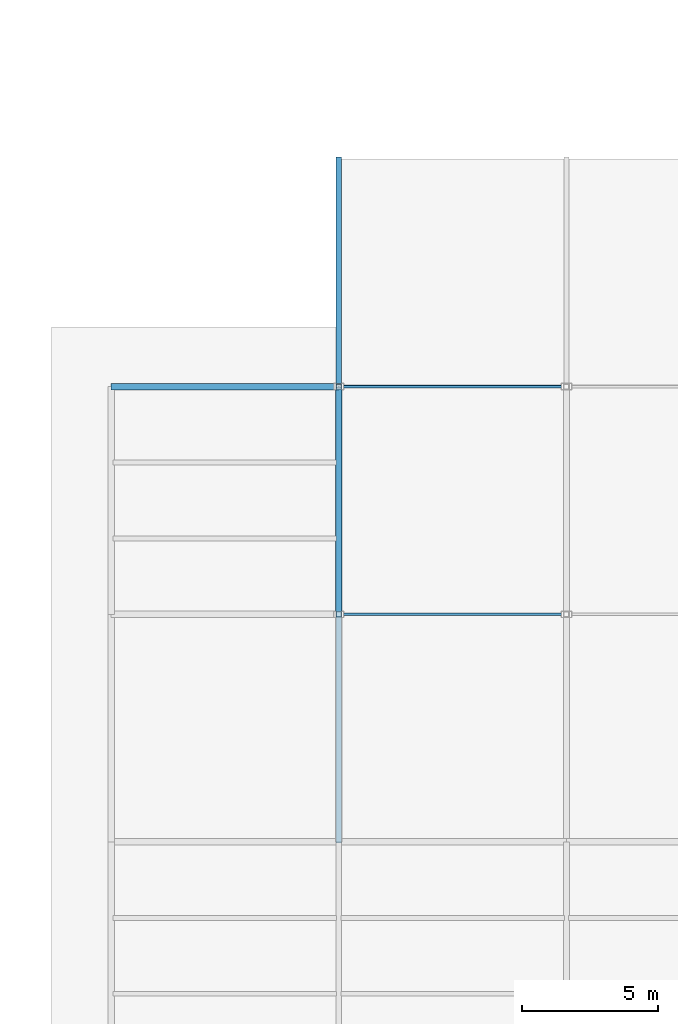
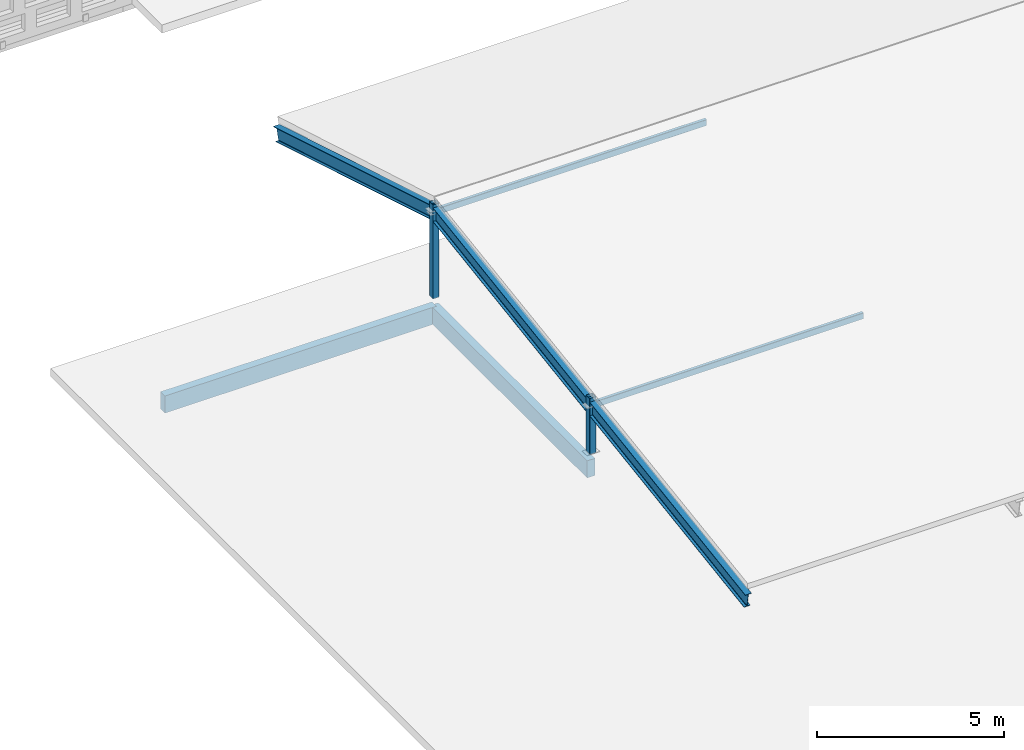
# One storey, part 2 of 31: 4 beams, 4 members.
"""IFC4 building model written with IfcOpenShell, lengths in metres."""

from ifc_helpers import new_model, si_unit, direction, frame, origin, origin_2d, place, context, subcontext, project, spatial, rectangle, hollow_rectangle, i_section, extrude, material, material_profile, profile_set, type_object, element, save


model = new_model("IFC4")

# Units and contexts
model_context = context("Model", 3, precision=1e-05, world=origin(), true_north=direction((0.0, 1.0)))
body_context = subcontext(model_context, "Body", "Model", "MODEL_VIEW")
ifc_project = project(units=[si_unit("LENGTHUNIT", "METRE"), si_unit("AREAUNIT", "SQUARE_METRE"), si_unit("VOLUMEUNIT", "CUBIC_METRE"), si_unit("PLANEANGLEUNIT", "RADIAN"), si_unit("MASSUNIT", "GRAM", prefix="KILO")], contexts=[model_context])

# Site, building, storey
site_placement = place(None, origin())
site = spatial("IfcSite", under=ifc_project, at=site_placement, CompositionType="ELEMENT")
building_placement = place(site_placement, origin())
building = spatial("IfcBuilding", under=site, at=building_placement, Name="Varnapada Polytechnic", CompositionType="ELEMENT")
storey_placement = place(building_placement, frame((0.0, 0.0, 22.199951171875)))
storey = spatial("IfcBuildingStorey", under=building, at=storey_placement, Name="L05", CompositionType="ELEMENT", Elevation=22.199951171875)

# Beams
ifc_material_1 = material(Name="Steel S355", Category="steel")
ifc_material_profile_1 = material_profile(ifc_material_1, i_section(OverallWidth=0.18994140625, OverallDepth=0.449951171875, WebThickness=0.009521484375, FlangeThickness=0.0146484375, FilletRadius=0.02099609375, at=origin_2d()), Name="IPE 450")
ifc_profile_set_1 = profile_set([ifc_material_profile_1], Name="Steel S355")
beam_type_1 = type_object("IfcBeamType", Name="Folded gable & library roof rafter SB-02 (IPE 450)", PredefinedType="BEAM", material=ifc_profile_set_1)
beam_1_placement = place(storey_placement, frame((25.199951171875, 16.800048828125, 0.22509765625), z_axis=(0.0, 0.988894043758, 0.148622239992), x_axis=(-1.0, 0.0, 0.0)))
element("IfcBeam", 1, at=beam_1_placement, inside=storey, type_object=beam_type_1, Name="Lecture pavilion south gable rafter X4", PredefinedType="BEAM", context=body_context, shape_type="SweptSolid", body=[
    extrude(i_section(OverallWidth=0.18994140625, OverallDepth=0.449951171875, WebThickness=0.009521484375, FlangeThickness=0.0146484375, FilletRadius=0.02099609375, at=origin_2d()), origin(), (0.0, 0.0, 1.0), 16.98876953125),
])
beam_2_placement = place(storey_placement, frame((25.199951171875, 42.0, 0.22509765625), z_axis=(0.0, -0.957671397107, 0.287863674617), x_axis=(1.0, 0.0, 0.0)))
element("IfcBeam", 2, at=beam_2_placement, inside=storey, type_object=beam_type_1, Name="Lecture pavilion north gable rafter X4", PredefinedType="BEAM", context=body_context, shape_type="SweptSolid", body=[
    extrude(i_section(OverallWidth=0.18994140625, OverallDepth=0.449951171875, WebThickness=0.009521484375, FlangeThickness=0.0146484375, FilletRadius=0.02099609375, at=origin_2d()), origin(), (0.0, 0.0, 1.0), 8.771240234375),
])

# Members
ifc_material_profile_2 = material_profile(ifc_material_1, hollow_rectangle(XDim=0.10009765625, YDim=0.199951171875, WallThickness=0.00634765625, InnerFilletRadius=0.006103515625, OuterFilletRadius=0.011962890625, at=origin_2d()), Name="RHS 200x100x6.3")
ifc_profile_set_2 = profile_set([ifc_material_profile_2], Name="Steel S355")
member_type_1 = type_object("IfcMemberType", Name="Gable and library roof steel purlin PR-01 (RHS 200x100x6.3)", PredefinedType="PURLIN", material=ifc_profile_set_2)
for number, where, z_axis, x_axis, name in (
    (3, (25.199951171875, 25.199951171875, 1.52001953125), (1.0, 0.0, 0.0), (0.0, 1.0, 0.0), "Lecture roof purlin 4.1"),
    (4, (25.199951171875, 33.60009765625, 2.75), (1.0, 0.0, 0.0), (0.0, 1.0, 0.0), "Lecture roof purlin 4.2"),
):
    element("IfcMember", number, at=place(storey_placement, frame(where, z_axis=z_axis, x_axis=x_axis)), inside=storey, type_object=member_type_1, Name=name, PredefinedType="PURLIN", context=body_context, shape_type="SweptSolid", body=[
        extrude(hollow_rectangle(XDim=0.10009765625, YDim=0.199951171875, WallThickness=0.00634765625, InnerFilletRadius=0.006103515625, OuterFilletRadius=0.011962890625, at=origin_2d()), origin(), (0.0, 0.0, 1.0), 8.400146484375),
    ])

# Beams
ifc_material_2 = material(Name="Glulam GL32h", Category="wood")
ifc_material_profile_3 = material_profile(ifc_material_2, rectangle(XDim=0.239990234375, YDim=0.56005859375, at=origin_2d()), Name="GL 240x560")
ifc_profile_set_3 = profile_set([ifc_material_profile_3], Name="Glulam GL32h")
beam_type_2 = type_object("IfcBeamType", Name="Perimeter glulam spandrel beam SP-02 (GL 240x560)", PredefinedType="SPANDREL", material=ifc_profile_set_3)
beam_3_placement = place(storey_placement, frame((16.800048828125, 33.60009765625, -0.550048828125), z_axis=(1.0, 0.0, 0.0), x_axis=(0.0, 1.0, 0.0)))
element("IfcBeam", 5, at=beam_3_placement, inside=storey, type_object=beam_type_2, Name="L05 beam X 3-4 at Y5", PredefinedType="SPANDREL", context=body_context, shape_type="SweptSolid", body=[
    extrude(rectangle(XDim=0.239990234375, YDim=0.56005859375, at=origin_2d()), origin(), (0.0, 0.0, 1.0), 8.39990234375),
])
beam_4_placement = place(storey_placement, frame((25.199951171875, 25.199951171875, -0.550048828125), z_axis=(0.0, 1.0, 0.0), x_axis=(-1.0, 0.0, 0.0)))
element("IfcBeam", 6, at=beam_4_placement, inside=storey, type_object=beam_type_2, Name="L05 beam Y 4-5 at X4", PredefinedType="SPANDREL", context=body_context, shape_type="SweptSolid", body=[
    extrude(rectangle(XDim=0.239990234375, YDim=0.56005859375, at=origin_2d()), origin(), (0.0, 0.0, 1.0), 8.400146484375),
])

# Members
ifc_material_profile_4 = material_profile(ifc_material_1, hollow_rectangle(XDim=0.199951171875, YDim=0.199951171875, WallThickness=0.008056640625, InnerFilletRadius=0.008056640625, OuterFilletRadius=0.01611328125, at=origin_2d()), Name="SHS 200x200x8")
ifc_profile_set_4 = profile_set([ifc_material_profile_4], Name="Steel S355")
member_type_2 = type_object("IfcMemberType", Name="Roof clerestory king post SFP-01 (SHS 200x200x8)", PredefinedType="POST", material=ifc_profile_set_4)
member_1_placement = place(storey_placement, frame((25.199951171875, 33.60009765625, -0.02001953125), z_axis=(0.0, 0.0, 1.0), x_axis=(1.0, 0.0, 0.0)))
element("IfcMember", 7, at=member_1_placement, inside=storey, type_object=member_type_2, Name="Lecture gable king post X4", PredefinedType="POST", context=body_context, shape_type="SweptSolid", body=[
    extrude(hollow_rectangle(XDim=0.199951171875, YDim=0.199951171875, WallThickness=0.008056640625, InnerFilletRadius=0.008056640625, OuterFilletRadius=0.01611328125, at=origin_2d()), origin(), (0.0, 0.0, 1.0), 3.080078125),
])
member_2_placement = place(storey_placement, frame((25.199951171875, 25.199951171875, -0.02001953125), z_axis=(0.0, 0.0, 1.0), x_axis=(1.0, 0.0, 0.0)))
element("IfcMember", 8, at=member_2_placement, inside=storey, type_object=member_type_2, Name="Lecture gable mid strut X4", PredefinedType="POST", context=body_context, shape_type="SweptSolid", body=[
    extrude(hollow_rectangle(XDim=0.199951171875, YDim=0.199951171875, WallThickness=0.008056640625, InnerFilletRadius=0.008056640625, OuterFilletRadius=0.01611328125, at=origin_2d()), origin(), (0.0, 0.0, 1.0), 1.840087890625),
])

save(model, "model.ifc")
